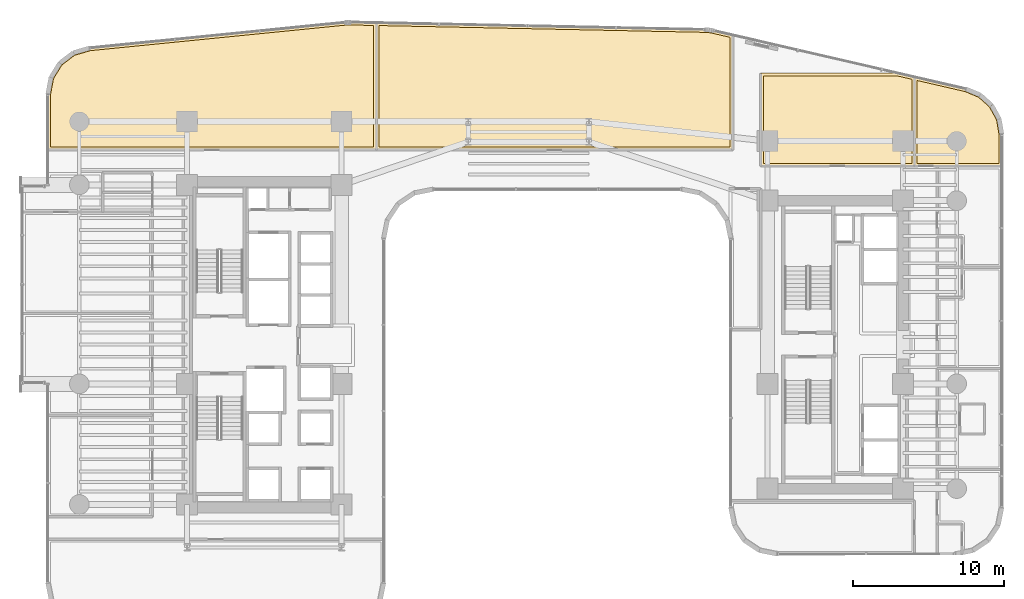
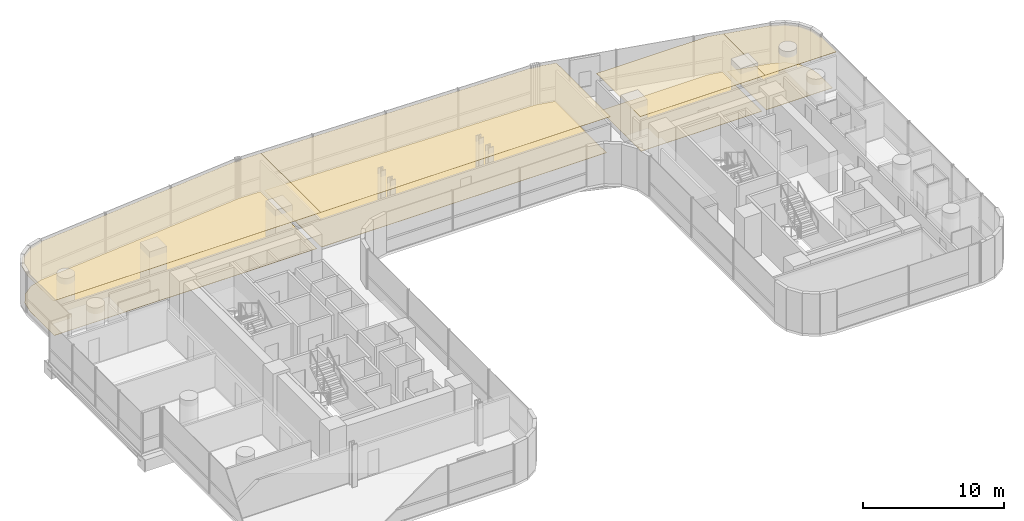
# One storey, part 39 of 39: 8 coverings.
"""IFC4 building model written with IfcOpenShell, lengths in metres."""

from ifc_helpers import new_model, si_unit, direction, frame, origin, place, context, subcontext, project, spatial, polyline, outline, extrude, material, layer, layer_set, type_object, element, save


model = new_model("IFC4")

# Units and contexts
model_context = context("Model", 3, precision=1e-05, world=origin(), true_north=direction((0.0, 1.0)))
body_context = subcontext(model_context, "Body", "Model", "MODEL_VIEW")
ifc_project = project(units=[si_unit("LENGTHUNIT", "METRE"), si_unit("AREAUNIT", "SQUARE_METRE"), si_unit("VOLUMEUNIT", "CUBIC_METRE"), si_unit("PLANEANGLEUNIT", "RADIAN"), si_unit("MASSUNIT", "GRAM", prefix="KILO")], contexts=[model_context])

# Site, building, storey
site_placement = place(None, origin())
site = spatial("IfcSite", under=ifc_project, at=site_placement, CompositionType="ELEMENT")
building_placement = place(site_placement, origin())
building = spatial("IfcBuilding", under=site, at=building_placement, Name="Valdorenza Pilgrim Sanctuary Tower", CompositionType="ELEMENT")
storey_placement = place(building_placement, frame((0.0, 0.0, 74.10009765625)))
storey = spatial("IfcBuildingStorey", under=building, at=storey_placement, Name="L18", CompositionType="ELEMENT", Elevation=74.10009765625)

# Coverings
ifc_material_1 = material(Name="Micro-perforated acoustic mineral ceiling tile", Category="gypsum")
ifc_layer_1 = layer(ifc_material_1, 0.02490234375, Name="Micro-perforated acoustic mineral ceiling tile")
ifc_layer_set_1 = layer_set([ifc_layer_1], Name="Micro-perforated acoustic mineral ceiling tile")
covering_type_1 = type_object("IfcCoveringType", Name="COV-CLG-ACU", PredefinedType="CEILING", material=ifc_layer_set_1)
covering_1_placement = place(storey_placement, frame((0.0, 0.0, 3.159912109375)))
element("IfcCovering", 1, at=covering_1_placement, inside=storey, type_object=covering_type_1, Name="L18 Private Banquet Dining Room L18-N1 Acoustic Ceiling", PredefinedType="CEILING", context=body_context, shape_type="SweptSolid", body=[
    extrude(outline(polyline([(-31.889892578125, 12.905029296875), (-31.8916015625, 12.905029296875), (-31.892822265625, 12.9052734375), (-31.894287109375, 12.905517578125), (-31.895751953125, 12.906005859375), (-31.897216796875, 12.90673828125), (-31.898193359375, 12.907470703125), (-31.8994140625, 12.908447265625), (-31.900634765625, 12.909423828125), (-31.901611328125, 12.910400390625), (-31.902587890625, 12.91162109375), (-31.9033203125, 12.912841796875), (-31.90380859375, 12.914306640625), (-31.904296875, 12.91552734375), (-31.90478515625, 12.9169921875), (-31.90478515625, 12.91845703125), (-31.905029296875, 12.919921875), (-31.905029296875, 16.593994140625), (-31.90478515625, 16.59521484375), (-31.90478515625, 16.5966796875), (-31.6962890625, 17.717041015625), (-31.696044921875, 17.718505859375), (-31.695556640625, 17.7197265625), (-31.695068359375, 17.720947265625), (-31.6943359375, 17.72216796875), (-31.102294921875, 18.68408203125), (-31.1015625, 18.685302734375), (-31.100830078125, 18.686279296875), (-31.099853515625, 18.687255859375), (-31.0986328125, 18.688232421875), (-30.20068359375, 19.372802734375), (-30.199462890625, 19.37353515625), (-30.1982421875, 19.374267578125), (-30.197021484375, 19.374755859375), (-30.19580078125, 19.375244140625), (-29.1015625, 19.694091796875), (-29.10009765625, 19.694580078125), (-29.098876953125, 19.694580078125), (-12.18359375, 21.38623046875), (-12.183349609375, 21.38623046875), (-12.089599609375, 21.39404296875), (-12.089111328125, 21.39404296875), (-11.996337890625, 21.399169921875), (-11.995849609375, 21.3994140625), (-11.902587890625, 21.401611328125), (-11.90234375, 21.401611328125), (-11.808349609375, 21.40087890625), (-11.80810546875, 21.40087890625), (-10.0947265625, 21.365234375), (-10.09326171875, 21.365234375), (-10.091796875, 21.364990234375), (-10.09033203125, 21.364501953125), (-10.089111328125, 21.364013671875), (-10.087646484375, 21.36328125), (-10.08642578125, 21.36279296875), (-10.085205078125, 21.36181640625), (-10.084228515625, 21.36083984375), (-10.083251953125, 21.359619140625), (-10.08251953125, 21.3583984375), (-10.081787109375, 21.357421875), (-10.0810546875, 21.35595703125), (-10.08056640625, 21.3544921875), (-10.080322265625, 21.353271484375), (-10.080078125, 21.351806640625), (-10.080078125, 21.350341796875), (-10.080078125, 12.919921875), (-10.080078125, 12.91845703125), (-10.080322265625, 12.9169921875), (-10.08056640625, 12.91552734375), (-10.0810546875, 12.914306640625), (-10.081787109375, 12.912841796875), (-10.08251953125, 12.91162109375), (-10.08349609375, 12.910400390625), (-10.08447265625, 12.909423828125), (-10.08544921875, 12.908447265625), (-10.086669921875, 12.907470703125), (-10.087890625, 12.90673828125), (-10.08935546875, 12.906005859375), (-10.090576171875, 12.905517578125), (-10.092041015625, 12.9052734375), (-10.093505859375, 12.905029296875), (-10.094970703125, 12.905029296875), (-31.889892578125, 12.905029296875)])), origin(), (0.0, 0.0, 1.0), 0.02490234375),
])
covering_2_placement = place(storey_placement, frame((0.0, 0.0, 3.159912109375)))
element("IfcCovering", 2, at=covering_2_placement, inside=storey, type_object=covering_type_1, Name="L18 Private Banquet Dining Room L18-N2 Acoustic Ceiling", PredefinedType="CEILING", context=body_context, shape_type="SweptSolid", body=[
    extrude(outline(polyline([(-10.093017578125, 12.905029296875), (-10.094482421875, 12.905029296875), (-10.095947265625, 12.9052734375), (-10.097412109375, 12.905517578125), (-10.0986328125, 12.906005859375), (-10.10009765625, 12.90673828125), (-10.101318359375, 12.907470703125), (-10.1025390625, 12.908447265625), (-10.103515625, 12.909423828125), (-10.1044921875, 12.910400390625), (-10.10546875, 12.91162109375), (-10.106201171875, 12.912841796875), (-10.10693359375, 12.914306640625), (-10.107421875, 12.91552734375), (-10.107666015625, 12.9169921875), (-10.10791015625, 12.91845703125), (-10.10791015625, 12.919921875), (-10.10791015625, 21.350341796875), (-10.10791015625, 21.351806640625), (-10.107666015625, 21.353271484375), (-10.107421875, 21.354736328125), (-10.106689453125, 21.356201171875), (-10.106201171875, 21.357421875), (-10.10546875, 21.358642578125), (-10.1044921875, 21.35986328125), (-10.103515625, 21.361083984375), (-10.102294921875, 21.362060546875), (-10.101318359375, 21.36279296875), (-10.099853515625, 21.363525390625), (-10.098388671875, 21.3642578125), (-10.09716796875, 21.36474609375), (-10.095703125, 21.364990234375), (-10.09423828125, 21.365234375), (-10.0927734375, 21.365234375), (11.666015625, 20.912109375), (11.66650390625, 20.911865234375), (11.82666015625, 20.904296875), (11.827392578125, 20.904296875), (11.98583984375, 20.888916015625), (11.986572265625, 20.888671875), (12.143798828125, 20.864990234375), (12.14453125, 20.864990234375), (12.302001953125, 20.832763671875), (12.30224609375, 20.832763671875), (13.553466796875, 20.5439453125), (13.5546875, 20.543701171875), (13.55615234375, 20.543212890625), (13.557373046875, 20.54248046875), (13.55859375, 20.541748046875), (13.559814453125, 20.540771484375), (13.560791015625, 20.539794921875), (13.561767578125, 20.538818359375), (13.5625, 20.53759765625), (13.563232421875, 20.536376953125), (13.56396484375, 20.534912109375), (13.564453125, 20.53369140625), (13.564697265625, 20.5322265625), (13.56494140625, 20.53076171875), (13.56494140625, 20.529296875), (13.56494140625, 12.919921875), (13.56494140625, 12.91845703125), (13.564697265625, 12.9169921875), (13.564453125, 12.91552734375), (13.56396484375, 12.914306640625), (13.563232421875, 12.912841796875), (13.5625, 12.91162109375), (13.5615234375, 12.910400390625), (13.560546875, 12.909423828125), (13.5595703125, 12.908447265625), (13.558349609375, 12.907470703125), (13.55712890625, 12.90673828125), (13.5556640625, 12.906005859375), (13.554443359375, 12.905517578125), (13.552978515625, 12.9052734375), (13.551513671875, 12.905029296875), (13.550048828125, 12.905029296875), (-10.093017578125, 12.905029296875)])), origin(), (0.0, 0.0, 1.0), 0.02490234375),
])
covering_3_placement = place(storey_placement, frame((0.0, 0.0, 3.159912109375)))
element("IfcCovering", 3, at=covering_3_placement, inside=storey, type_object=covering_type_1, Name="L18 Curator Research Office L18-BN1 Acoustic Ceiling", PredefinedType="CEILING", context=body_context, shape_type="SweptSolid", body=[
    extrude(outline(polyline([(15.39990234375, 11.8349609375), (15.3984375, 11.835205078125), (15.397216796875, 11.835205078125), (15.3955078125, 11.835693359375), (15.394287109375, 11.836181640625), (15.392822265625, 11.8369140625), (15.3916015625, 11.83740234375), (15.390380859375, 11.83837890625), (15.389404296875, 11.83935546875), (15.388427734375, 11.840576171875), (15.387451171875, 11.841796875), (15.38671875, 11.843017578125), (15.385986328125, 11.84423828125), (15.385498046875, 11.845703125), (15.38525390625, 11.84716796875), (15.385009765625, 11.848388671875), (15.385009765625, 11.85009765625), (15.385009765625, 18.0), (15.385009765625, 18.00146484375), (15.38525390625, 18.0029296875), (15.385498046875, 18.00439453125), (15.385986328125, 18.005615234375), (15.38671875, 18.007080078125), (15.387451171875, 18.00830078125), (15.388427734375, 18.009521484375), (15.389404296875, 18.010498046875), (15.390380859375, 18.01171875), (15.3916015625, 18.012451171875), (15.392822265625, 18.01318359375), (15.394287109375, 18.013916015625), (15.3955078125, 18.014404296875), (15.397216796875, 18.0146484375), (15.3984375, 18.014892578125), (15.39990234375, 18.014892578125), (24.5107421875, 18.014892578125), (24.512451171875, 18.014892578125), (24.51416015625, 18.0146484375), (25.603515625, 17.76318359375), (25.604736328125, 17.762939453125), (25.606201171875, 17.76220703125), (25.607421875, 17.76171875), (25.608642578125, 17.760986328125), (25.609619140625, 17.760009765625), (25.61083984375, 17.759033203125), (25.61181640625, 17.758056640625), (25.612548828125, 17.7568359375), (25.61328125, 17.755615234375), (25.614013671875, 17.75439453125), (25.614501953125, 17.7529296875), (25.61474609375, 17.75146484375), (25.614990234375, 17.75), (25.614990234375, 17.74853515625), (25.614990234375, 11.85009765625), (25.614990234375, 11.848388671875), (25.61474609375, 11.84716796875), (25.614501953125, 11.845703125), (25.614013671875, 11.84423828125), (25.61328125, 11.843017578125), (25.612548828125, 11.841796875), (25.611572265625, 11.840576171875), (25.610595703125, 11.83935546875), (25.609619140625, 11.83837890625), (25.6083984375, 11.83740234375), (25.607177734375, 11.8369140625), (25.605712890625, 11.836181640625), (25.6044921875, 11.835693359375), (25.602783203125, 11.835205078125), (25.6015625, 11.835205078125), (25.60009765625, 11.8349609375), (15.39990234375, 11.8349609375)])), origin(), (0.0, 0.0, 1.0), 0.02490234375),
])
covering_4_placement = place(storey_placement, frame((0.0, 0.0, 3.159912109375)))
element("IfcCovering", 4, at=covering_4_placement, inside=storey, type_object=covering_type_1, Name="L18 East Wing Reference Library L18-BNE Acoustic Ceiling", PredefinedType="CEILING", context=body_context, shape_type="SweptSolid", body=[
    extrude(outline(polyline([(28.9892578125, 16.98193359375), (28.990478515625, 16.981689453125), (28.99169921875, 16.981201171875), (29.95361328125, 16.580322265625), (29.955078125, 16.57958984375), (29.95654296875, 16.57861328125), (29.9580078125, 16.57763671875), (30.72705078125, 15.88818359375), (30.728271484375, 15.886962890625), (30.729248046875, 15.8857421875), (30.72998046875, 15.88427734375), (31.22900390625, 14.97998046875), (31.2294921875, 14.978271484375), (31.230224609375, 14.976806640625), (31.230712890625, 14.97509765625), (31.40478515625, 13.947509765625), (31.40478515625, 13.9462890625), (31.405029296875, 13.945068359375), (31.405029296875, 11.85009765625), (31.40478515625, 11.848388671875), (31.40478515625, 11.84716796875), (31.404296875, 11.845703125), (31.40380859375, 11.84423828125), (31.4033203125, 11.843017578125), (31.402587890625, 11.841796875), (31.401611328125, 11.840576171875), (31.400634765625, 11.83935546875), (31.3994140625, 11.83837890625), (31.398193359375, 11.83740234375), (31.397216796875, 11.8369140625), (31.395751953125, 11.836181640625), (31.394287109375, 11.835693359375), (31.392822265625, 11.835205078125), (31.3916015625, 11.835205078125), (31.389892578125, 11.8349609375), (25.60205078125, 11.8349609375), (25.6005859375, 11.835205078125), (25.59912109375, 11.835205078125), (25.59765625, 11.835693359375), (25.59619140625, 11.836181640625), (25.594970703125, 11.8369140625), (25.59375, 11.83740234375), (25.592529296875, 11.83837890625), (25.59130859375, 11.83935546875), (25.59033203125, 11.840576171875), (25.589599609375, 11.841796875), (25.5888671875, 11.843017578125), (25.588134765625, 11.84423828125), (25.587646484375, 11.845703125), (25.58740234375, 11.84716796875), (25.587158203125, 11.848388671875), (25.5869140625, 11.85009765625), (25.5869140625, 17.748291015625), (25.587158203125, 17.749755859375), (25.58740234375, 17.751220703125), (25.587646484375, 17.752685546875), (25.588134765625, 17.75390625), (25.5888671875, 17.75537109375), (25.589599609375, 17.756591796875), (25.590576171875, 17.7578125), (25.591552734375, 17.7587890625), (25.5927734375, 17.760009765625), (25.593994140625, 17.7607421875), (25.59521484375, 17.761474609375), (25.596435546875, 17.76220703125), (25.597900390625, 17.7626953125), (25.599365234375, 17.762939453125), (25.600830078125, 17.76318359375), (25.602294921875, 17.76318359375), (25.60400390625, 17.76318359375), (25.60546875, 17.7626953125), (28.9892578125, 16.98193359375)])), origin(), (0.0, 0.0, 1.0), 0.02490234375),
])
ifc_material_2 = material(Name="Engineered European oak timber flooring", Category="wood")
ifc_layer_2 = layer(ifc_material_2, 0.02197265625, Name="Engineered European oak timber flooring")
ifc_layer_set_2 = layer_set([ifc_layer_2], Name="Engineered European oak timber flooring")
covering_type_2 = type_object("IfcCoveringType", Name="COV-FLR-OAK", PredefinedType="FLOORING", material=ifc_layer_set_2)
covering_5_placement = place(storey_placement, origin())
element("IfcCovering", 5, at=covering_5_placement, inside=storey, type_object=covering_type_2, Name="L18 Private Banquet Dining Room L18-N1 Flooring", PredefinedType="FLOORING", context=body_context, shape_type="SweptSolid", body=[
    extrude(outline(polyline([(-31.7099609375, 13.10009765625), (-31.7099609375, 16.577392578125), (-31.5107421875, 17.6484375), (-30.953857421875, 18.553466796875), (-30.109130859375, 19.197509765625), (-29.06298828125, 19.502197265625), (-12.16552734375, 21.19189453125), (-12.07568359375, 21.19970703125), (-11.98828125, 21.204345703125), (-11.900634765625, 21.20654296875), (-11.810791015625, 21.2060546875), (-10.27490234375, 21.174072265625), (-10.27490234375, 13.10009765625), (-31.7099609375, 13.10009765625)])), origin(), (0.0, 0.0, 1.0), 0.02490234375),
])
covering_6_placement = place(storey_placement, origin())
element("IfcCovering", 6, at=covering_6_placement, inside=storey, type_object=covering_type_2, Name="L18 Private Banquet Dining Room L18-N2 Flooring", PredefinedType="FLOORING", context=body_context, shape_type="SweptSolid", body=[
    extrude(outline(polyline([(-9.9130859375, 13.10009765625), (-9.9130859375, 21.16650390625), (11.65966796875, 20.717041015625), (11.81298828125, 20.7099609375), (11.962158203125, 20.6953125), (12.110107421875, 20.6728515625), (12.2607421875, 20.64208984375), (13.3701171875, 20.38623046875), (13.3701171875, 13.10009765625), (-9.9130859375, 13.10009765625)])), origin(), (0.0, 0.0, 1.0), 0.02490234375),
])
ifc_material_3 = material(Name="Honed travertine stone flooring", Category="masonry")
ifc_layer_3 = layer(ifc_material_3, 0.030029296875, Name="Honed travertine stone flooring")
ifc_layer_set_3 = layer_set([ifc_layer_3], Name="Honed travertine stone flooring")
covering_type_3 = type_object("IfcCoveringType", Name="COV-FLR-TRV", PredefinedType="FLOORING", material=ifc_layer_set_3)
covering_7_placement = place(storey_placement, origin())
element("IfcCovering", 7, at=covering_7_placement, inside=storey, type_object=covering_type_3, Name="L18 Curator Research Office L18-BN1 Flooring", PredefinedType="FLOORING", context=body_context, shape_type="SweptSolid", body=[
    extrude(outline(polyline([(15.580078125, 12.030029296875), (15.580078125, 17.820068359375), (24.490234375, 17.820068359375), (25.419921875, 17.60546875), (25.419921875, 12.030029296875), (15.580078125, 12.030029296875)])), origin(), (0.0, 0.0, 1.0), 0.02490234375),
])
covering_8_placement = place(storey_placement, origin())
element("IfcCovering", 8, at=covering_8_placement, inside=storey, type_object=covering_type_3, Name="L18 East Wing Reference Library L18-BNE Flooring", PredefinedType="FLOORING", context=body_context, shape_type="SweptSolid", body=[
    extrude(outline(polyline([(28.9306640625, 16.79541015625), (29.8505859375, 16.412109375), (30.57421875, 15.763427734375), (31.04345703125, 14.912353515625), (31.2099609375, 13.929931640625), (31.2099609375, 12.030029296875), (25.781982421875, 12.030029296875), (25.781982421875, 17.52197265625), (28.9306640625, 16.79541015625)])), origin(), (0.0, 0.0, 1.0), 0.02490234375),
])

save(model, "model.ifc")
